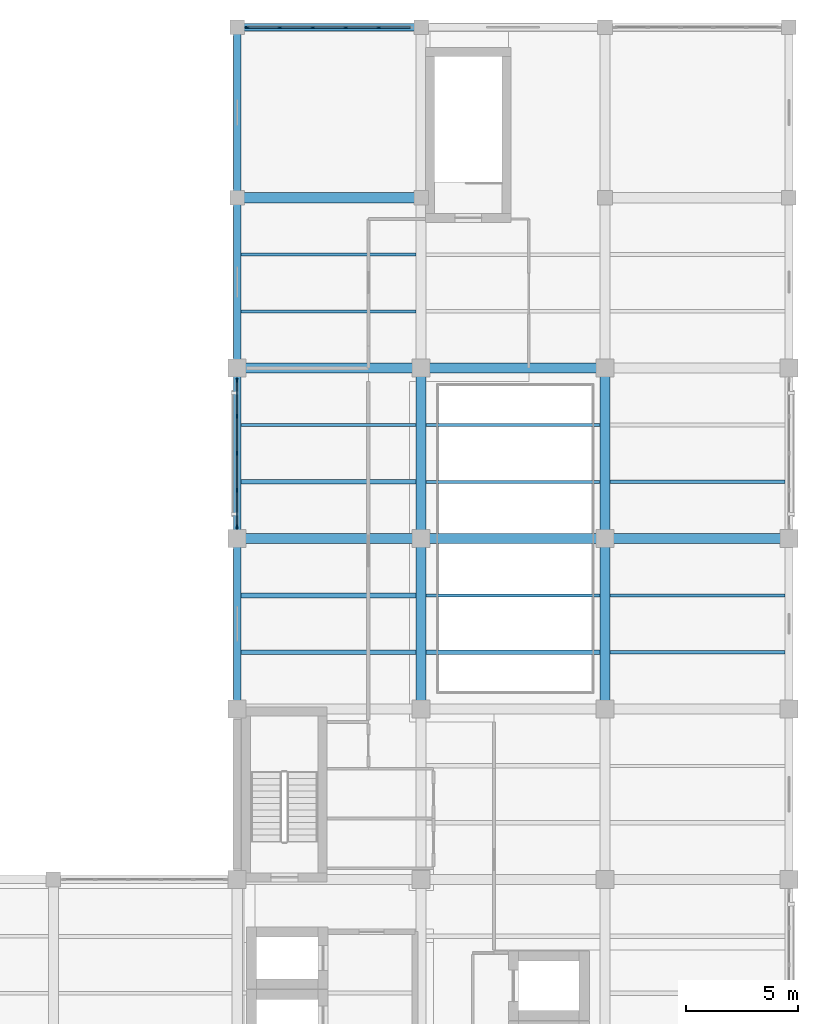
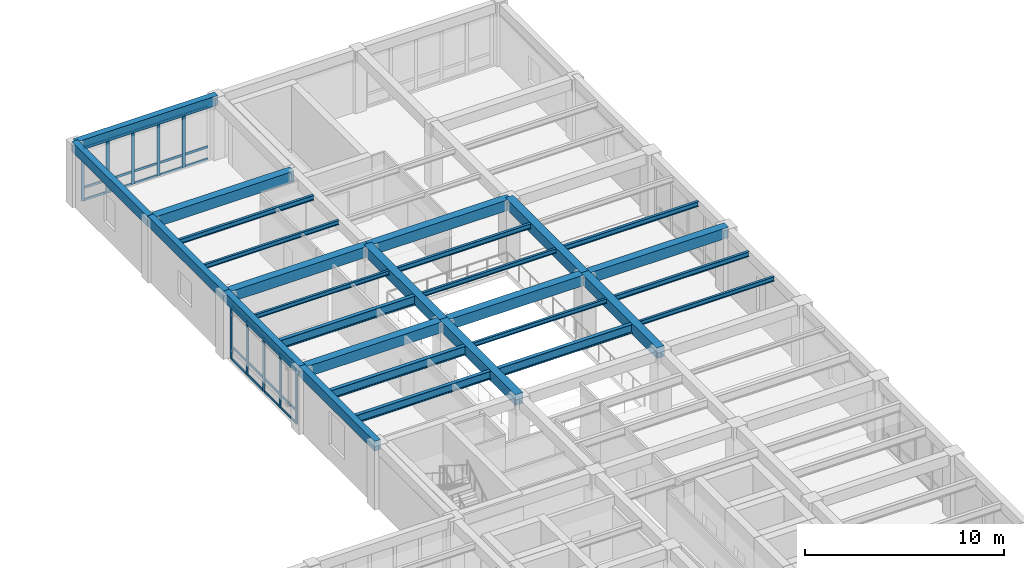
# One storey, part 4 of 15: 37 members, 28 beams, 2 elements without a shape of their own.
"""IFC4 building model written with IfcOpenShell, lengths in metres."""

from ifc_helpers import new_model, si_unit, direction, frame, origin, origin_2d, place, context, subcontext, project, spatial, rectangle, i_section, extrude, material, material_profile, profile_set, type_object, element, aggregate, save


model = new_model("IFC4")

# Units and contexts
model_context = context("Model", 3, precision=1e-05, world=origin(), true_north=direction((0.0, 1.0)))
body_context = subcontext(model_context, "Body", "Model", "MODEL_VIEW")
ifc_project = project(units=[si_unit("LENGTHUNIT", "METRE"), si_unit("AREAUNIT", "SQUARE_METRE"), si_unit("VOLUMEUNIT", "CUBIC_METRE"), si_unit("PLANEANGLEUNIT", "RADIAN"), si_unit("MASSUNIT", "GRAM", prefix="KILO")], contexts=[model_context])

# Site, building, storey
site_placement = place(None, origin())
site = spatial("IfcSite", under=ifc_project, at=site_placement, CompositionType="ELEMENT")
building_placement = place(site_placement, origin())
building = spatial("IfcBuilding", under=site, at=building_placement, Name="Qandaris Square Conservatory and Botanical Centre", CompositionType="ELEMENT")
storey_placement = place(building_placement, frame((0.0, 0.0, 32.39990234375)))
storey = spatial("IfcBuildingStorey", under=building, at=storey_placement, Name="L07", CompositionType="ELEMENT", Elevation=32.39990234375)

# Beams
ifc_material_1 = material(Name="Steel S355", Category="steel")
ifc_material_profile_1 = material_profile(ifc_material_1, i_section(OverallWidth=0.199951171875, OverallDepth=0.5, WebThickness=0.01025390625, FlangeThickness=0.01611328125, FilletRadius=0.02099609375, at=origin_2d()), Name="IPE 500")
ifc_profile_set_1 = profile_set([ifc_material_profile_1], Name="Steel S355")
beam_type_1 = type_object("IfcBeamType", Name="Composite Gallery Joist IPE 500", PredefinedType="JOIST", material=ifc_profile_set_1)
beam_1_placement = place(storey_placement, frame((139.375, 49.533203125, 3.630126953125), z_axis=(1.0, 0.0, 0.0), x_axis=(0.0, 1.0, 0.0)))
element("IfcBeam", 1, at=beam_1_placement, inside=storey, type_object=beam_type_1, Name="L07 Composite Joist 2179", PredefinedType="JOIST", context=body_context, shape_type="SweptSolid", body=[
    extrude(i_section(OverallWidth=0.199951171875, OverallDepth=0.5, WebThickness=0.01025390625, FlangeThickness=0.01611328125, FilletRadius=0.02099609375, at=origin_2d()), origin(), (0.0, 0.0, 1.0), 7.800048828125),
])
ifc_material_profile_2 = material_profile(ifc_material_1, i_section(OverallWidth=0.14990234375, OverallDepth=0.300048828125, WebThickness=0.007080078125, FlangeThickness=0.0107421875, FilletRadius=0.014892578125, at=origin_2d()), Name="IPE 300")
ifc_profile_set_2 = profile_set([ifc_material_profile_2], Name="Steel S355")
beam_type_2 = type_object("IfcBeamType", Name="Composite Lab Joist IPE 300", PredefinedType="JOIST", material=ifc_profile_set_2)
beam_2_placement = place(storey_placement, frame((139.375, 67.2666015625, 3.72998046875), z_axis=(1.0, 0.0, 0.0), x_axis=(0.0, 1.0, 0.0)))
element("IfcBeam", 2, at=beam_2_placement, inside=storey, type_object=beam_type_2, Name="L07 Composite Joist 2184", PredefinedType="JOIST", context=body_context, shape_type="SweptSolid", body=[
    extrude(i_section(OverallWidth=0.14990234375, OverallDepth=0.300048828125, WebThickness=0.007080078125, FlangeThickness=0.0107421875, FilletRadius=0.014892578125, at=origin_2d()), origin(), (0.0, 0.0, 1.0), 7.800048828125),
])
beam_3_placement = place(storey_placement, frame((147.625, 59.666748046875, 3.72998046875), z_axis=(1.0, 0.0, 0.0), x_axis=(0.0, 1.0, 0.0)))
element("IfcBeam", 3, at=beam_3_placement, inside=storey, type_object=beam_type_2, Name="L07 Composite Joist 2193", PredefinedType="JOIST", context=body_context, shape_type="SweptSolid", body=[
    extrude(i_section(OverallWidth=0.14990234375, OverallDepth=0.300048828125, WebThickness=0.007080078125, FlangeThickness=0.0107421875, FilletRadius=0.014892578125, at=origin_2d()), origin(), (0.0, 0.0, 1.0), 7.75),
])
for number, where, z_axis, x_axis, name in (
    (4, (155.824951171875, 52.066650390625, 3.72998046875), (1.0, 0.0, 0.0), (0.0, 1.0, 0.0), "L07 Composite Joist 2205"),
    (5, (155.824951171875, 57.13330078125, 3.72998046875), (1.0, 0.0, 0.0), (0.0, 1.0, 0.0), "L07 Composite Joist 2206"),
):
    element("IfcBeam", number, at=place(storey_placement, frame(where, z_axis=z_axis, x_axis=x_axis)), inside=storey, type_object=beam_type_2, Name=name, PredefinedType="JOIST", context=body_context, shape_type="SweptSolid", body=[
        extrude(i_section(OverallWidth=0.14990234375, OverallDepth=0.300048828125, WebThickness=0.007080078125, FlangeThickness=0.0107421875, FilletRadius=0.014892578125, at=origin_2d()), origin(), (0.0, 0.0, 1.0), 7.800048828125),
    ])

# Curtain wall, members
ifc_material_2 = material(Name="Anodised Aluminium", Category="aluminium")
curtain_wall_type_1 = type_object("IfcCurtainWallType", Name="Unitised Curtain Wall CW-3-735x324", PredefinedType="USERDEFINED", material=ifc_material_2)
curtain_wall_1_placement = place(storey_placement, origin())
curtain_wall_1 = element("IfcCurtainWall", 6, at=curtain_wall_1_placement, inside=storey, type_object=curtain_wall_type_1, Name="Curtain Wall CW-TWR-L07-3-3", ObjectType="GLAZED CURTAIN WALL", PredefinedType="USERDEFINED")
ifc_material_profile_3 = material_profile(ifc_material_2, rectangle(XDim=0.06494140625, YDim=0.179931640625, at=origin_2d()), Name="ALU-MUL 65x180")
ifc_profile_set_3 = profile_set([ifc_material_profile_3], Name="Anodised Aluminium")
member_type_1 = type_object("IfcMemberType", Name="Curtain Wall Mullion 65x180", PredefinedType="MULLION", material=ifc_profile_set_3)
member_1_placement = place(storey_placement, frame((145.5048828125, 77.39990234375, 0.0), z_axis=(0.0, 0.0, 1.0), x_axis=(0.0, -1.0, 0.0)))
member_1 = element("IfcMember", 7, at=member_1_placement, type_object=member_type_1, Name="CW-3-735x324 mullion 2", PredefinedType="MULLION", context=body_context, shape_type="SweptSolid", body=[
    extrude(rectangle(XDim=0.06494140625, YDim=0.179931640625, at=origin_2d()), origin(), (0.0, 0.0, 1.0), 3.239990234375),
])
member_2_placement = place(storey_placement, frame((144.034912109375, 77.39990234375, 0.0), z_axis=(0.0, 0.0, 1.0), x_axis=(0.0, -1.0, 0.0)))
member_2 = element("IfcMember", 8, at=member_2_placement, type_object=member_type_1, Name="CW-3-735x324 mullion 3", PredefinedType="MULLION", context=body_context, shape_type="SweptSolid", body=[
    extrude(rectangle(XDim=0.06494140625, YDim=0.179931640625, at=origin_2d()), origin(), (0.0, 0.0, 1.0), 3.239990234375),
])
member_3_placement = place(storey_placement, frame((142.56494140625, 77.39990234375, 0.0), z_axis=(0.0, 0.0, 1.0), x_axis=(0.0, -1.0, 0.0)))
member_3 = element("IfcMember", 9, at=member_3_placement, type_object=member_type_1, Name="CW-3-735x324 mullion 4", PredefinedType="MULLION", context=body_context, shape_type="SweptSolid", body=[
    extrude(rectangle(XDim=0.06494140625, YDim=0.179931640625, at=origin_2d()), origin(), (0.0, 0.0, 1.0), 3.239990234375),
])
member_4_placement = place(storey_placement, frame((141.094970703125, 77.39990234375, 0.0), z_axis=(0.0, 0.0, 1.0), x_axis=(0.0, -1.0, 0.0)))
member_4 = element("IfcMember", 10, at=member_4_placement, type_object=member_type_1, Name="CW-3-735x324 mullion 5", PredefinedType="MULLION", context=body_context, shape_type="SweptSolid", body=[
    extrude(rectangle(XDim=0.06494140625, YDim=0.179931640625, at=origin_2d()), origin(), (0.0, 0.0, 1.0), 3.239990234375),
])
member_5_placement = place(storey_placement, frame((139.657470703125, 77.39990234375, 0.0), z_axis=(0.0, 0.0, 1.0), x_axis=(0.0, -1.0, 0.0)))
member_5 = element("IfcMember", 11, at=member_5_placement, type_object=member_type_1, Name="CW-3-735x324 mullion 6", PredefinedType="MULLION", context=body_context, shape_type="SweptSolid", body=[
    extrude(rectangle(XDim=0.06494140625, YDim=0.179931640625, at=origin_2d()), origin(), (0.0, 0.0, 1.0), 3.239990234375),
])

curtain_wall_type_2 = type_object("IfcCurtainWallType", Name="Unitised Curtain Wall CW-4-660x329", PredefinedType="USERDEFINED", material=ifc_material_2)
curtain_wall_2_placement = place(storey_placement, origin())
curtain_wall_2 = element("IfcCurtainWall", 12, at=curtain_wall_2_placement, inside=storey, type_object=curtain_wall_type_2, Name="Curtain Wall CW-TWR-L07-4-3", ObjectType="GLAZED CURTAIN WALL", PredefinedType="USERDEFINED")
member_6_placement = place(storey_placement, frame((139.199951171875, 61.66748046875, 0.0), z_axis=(0.0, 0.0, 1.0), x_axis=(1.0, 0.0, 0.0)))
member_6 = element("IfcMember", 13, at=member_6_placement, type_object=member_type_1, Name="CW-4-660x329 mullion 1", PredefinedType="MULLION", context=body_context, shape_type="SweptSolid", body=[
    extrude(rectangle(XDim=0.06494140625, YDim=0.179931640625, at=origin_2d()), origin(), (0.0, 0.0, 1.0), 3.2900390625),
])
member_7_placement = place(storey_placement, frame((139.199951171875, 60.050048828125, 0.0), z_axis=(0.0, 0.0, 1.0), x_axis=(1.0, 0.0, 0.0)))
member_7 = element("IfcMember", 14, at=member_7_placement, type_object=member_type_1, Name="CW-4-660x329 mullion 2", PredefinedType="MULLION", context=body_context, shape_type="SweptSolid", body=[
    extrude(rectangle(XDim=0.06494140625, YDim=0.179931640625, at=origin_2d()), origin(), (0.0, 0.0, 1.0), 3.2900390625),
])
member_8_placement = place(storey_placement, frame((139.199951171875, 58.39990234375, 0.0), z_axis=(0.0, 0.0, 1.0), x_axis=(1.0, 0.0, 0.0)))
member_8 = element("IfcMember", 15, at=member_8_placement, type_object=member_type_1, Name="CW-4-660x329 mullion 3", PredefinedType="MULLION", context=body_context, shape_type="SweptSolid", body=[
    extrude(rectangle(XDim=0.06494140625, YDim=0.179931640625, at=origin_2d()), origin(), (0.0, 0.0, 1.0), 3.2900390625),
])
member_9_placement = place(storey_placement, frame((139.199951171875, 56.75, 0.0), z_axis=(0.0, 0.0, 1.0), x_axis=(1.0, 0.0, 0.0)))
member_9 = element("IfcMember", 16, at=member_9_placement, type_object=member_type_1, Name="CW-4-660x329 mullion 4", PredefinedType="MULLION", context=body_context, shape_type="SweptSolid", body=[
    extrude(rectangle(XDim=0.06494140625, YDim=0.179931640625, at=origin_2d()), origin(), (0.0, 0.0, 1.0), 3.2900390625),
])
member_10_placement = place(storey_placement, frame((139.199951171875, 55.132568359375, 0.0), z_axis=(0.0, 0.0, 1.0), x_axis=(1.0, 0.0, 0.0)))
member_10 = element("IfcMember", 17, at=member_10_placement, type_object=member_type_1, Name="CW-4-660x329 mullion 5", PredefinedType="MULLION", context=body_context, shape_type="SweptSolid", body=[
    extrude(rectangle(XDim=0.06494140625, YDim=0.179931640625, at=origin_2d()), origin(), (0.0, 0.0, 1.0), 3.2900390625),
])

# Member
ifc_material_profile_4 = material_profile(ifc_material_2, rectangle(XDim=0.06494140625, YDim=0.139892578125, at=origin_2d()), Name="ALU-TRN 65x140")
ifc_profile_set_4 = profile_set([ifc_material_profile_4], Name="Anodised Aluminium")
member_type_2 = type_object("IfcMemberType", Name="Curtain Wall Transom 65x140", PredefinedType="USERDEFINED", material=ifc_profile_set_4)
member_11_placement = place(storey_placement, frame((146.909912109375, 77.39990234375, 0.03271484375), z_axis=(-1.0, 0.0, 0.0), x_axis=(0.0, -1.0, 0.0)))
member_11 = element("IfcMember", 18, at=member_11_placement, type_object=member_type_2, Name="CW-3-735x324 transom 1.1", ObjectType="TRANSOM", PredefinedType="USERDEFINED", context=body_context, shape_type="SweptSolid", body=[
    extrude(rectangle(XDim=0.06494140625, YDim=0.139892578125, at=origin_2d()), origin(), (0.0, 0.0, 1.0), 1.372314453125),
])

member_12_placement = place(storey_placement, frame((146.909912109375, 77.39990234375, 0.777587890625), z_axis=(-1.0, 0.0, 0.0), x_axis=(0.0, -1.0, 0.0)))
member_12 = element("IfcMember", 19, at=member_12_placement, type_object=member_type_2, Name="CW-3-735x324 transom 1.2", ObjectType="TRANSOM", PredefinedType="USERDEFINED", context=body_context, shape_type="SweptSolid", body=[
    extrude(rectangle(XDim=0.06494140625, YDim=0.139892578125, at=origin_2d()), origin(), (0.0, 0.0, 1.0), 1.372314453125),
])

member_13_placement = place(storey_placement, frame((146.909912109375, 77.39990234375, 3.20751953125), z_axis=(-1.0, 0.0, 0.0), x_axis=(0.0, -1.0, 0.0)))
member_13 = element("IfcMember", 20, at=member_13_placement, type_object=member_type_2, Name="CW-3-735x324 transom 1.3", ObjectType="TRANSOM", PredefinedType="USERDEFINED", context=body_context, shape_type="SweptSolid", body=[
    extrude(rectangle(XDim=0.06494140625, YDim=0.139892578125, at=origin_2d()), origin(), (0.0, 0.0, 1.0), 1.372314453125),
])

member_14_placement = place(storey_placement, frame((145.472412109375, 77.39990234375, 0.03271484375), z_axis=(-1.0, 0.0, 0.0), x_axis=(0.0, -1.0, 0.0)))
member_14 = element("IfcMember", 21, at=member_14_placement, type_object=member_type_2, Name="CW-3-735x324 transom 2.1", ObjectType="TRANSOM", PredefinedType="USERDEFINED", context=body_context, shape_type="SweptSolid", body=[
    extrude(rectangle(XDim=0.06494140625, YDim=0.139892578125, at=origin_2d()), origin(), (0.0, 0.0, 1.0), 1.405029296875),
])

member_15_placement = place(storey_placement, frame((145.472412109375, 77.39990234375, 0.777587890625), z_axis=(-1.0, 0.0, 0.0), x_axis=(0.0, -1.0, 0.0)))
member_15 = element("IfcMember", 22, at=member_15_placement, type_object=member_type_2, Name="CW-3-735x324 transom 2.2", ObjectType="TRANSOM", PredefinedType="USERDEFINED", context=body_context, shape_type="SweptSolid", body=[
    extrude(rectangle(XDim=0.06494140625, YDim=0.139892578125, at=origin_2d()), origin(), (0.0, 0.0, 1.0), 1.405029296875),
])

member_16_placement = place(storey_placement, frame((145.472412109375, 77.39990234375, 3.20751953125), z_axis=(-1.0, 0.0, 0.0), x_axis=(0.0, -1.0, 0.0)))
member_16 = element("IfcMember", 23, at=member_16_placement, type_object=member_type_2, Name="CW-3-735x324 transom 2.3", ObjectType="TRANSOM", PredefinedType="USERDEFINED", context=body_context, shape_type="SweptSolid", body=[
    extrude(rectangle(XDim=0.06494140625, YDim=0.139892578125, at=origin_2d()), origin(), (0.0, 0.0, 1.0), 1.405029296875),
])

member_17_placement = place(storey_placement, frame((144.00244140625, 77.39990234375, 0.03271484375), z_axis=(-1.0, 0.0, 0.0), x_axis=(0.0, -1.0, 0.0)))
member_17 = element("IfcMember", 24, at=member_17_placement, type_object=member_type_2, Name="CW-3-735x324 transom 3.1", ObjectType="TRANSOM", PredefinedType="USERDEFINED", context=body_context, shape_type="SweptSolid", body=[
    extrude(rectangle(XDim=0.06494140625, YDim=0.139892578125, at=origin_2d()), origin(), (0.0, 0.0, 1.0), 1.405029296875),
])

member_18_placement = place(storey_placement, frame((144.00244140625, 77.39990234375, 0.777587890625), z_axis=(-1.0, 0.0, 0.0), x_axis=(0.0, -1.0, 0.0)))
member_18 = element("IfcMember", 25, at=member_18_placement, type_object=member_type_2, Name="CW-3-735x324 transom 3.2", ObjectType="TRANSOM", PredefinedType="USERDEFINED", context=body_context, shape_type="SweptSolid", body=[
    extrude(rectangle(XDim=0.06494140625, YDim=0.139892578125, at=origin_2d()), origin(), (0.0, 0.0, 1.0), 1.405029296875),
])

member_19_placement = place(storey_placement, frame((144.00244140625, 77.39990234375, 3.20751953125), z_axis=(-1.0, 0.0, 0.0), x_axis=(0.0, -1.0, 0.0)))
member_19 = element("IfcMember", 26, at=member_19_placement, type_object=member_type_2, Name="CW-3-735x324 transom 3.3", ObjectType="TRANSOM", PredefinedType="USERDEFINED", context=body_context, shape_type="SweptSolid", body=[
    extrude(rectangle(XDim=0.06494140625, YDim=0.139892578125, at=origin_2d()), origin(), (0.0, 0.0, 1.0), 1.405029296875),
])

member_20_placement = place(storey_placement, frame((142.532470703125, 77.39990234375, 0.03271484375), z_axis=(-1.0, 0.0, 0.0), x_axis=(0.0, -1.0, 0.0)))
member_20 = element("IfcMember", 27, at=member_20_placement, type_object=member_type_2, Name="CW-3-735x324 transom 4.1", ObjectType="TRANSOM", PredefinedType="USERDEFINED", context=body_context, shape_type="SweptSolid", body=[
    extrude(rectangle(XDim=0.06494140625, YDim=0.139892578125, at=origin_2d()), origin(), (0.0, 0.0, 1.0), 1.405029296875),
])

member_21_placement = place(storey_placement, frame((142.532470703125, 77.39990234375, 0.777587890625), z_axis=(-1.0, 0.0, 0.0), x_axis=(0.0, -1.0, 0.0)))
member_21 = element("IfcMember", 28, at=member_21_placement, type_object=member_type_2, Name="CW-3-735x324 transom 4.2", ObjectType="TRANSOM", PredefinedType="USERDEFINED", context=body_context, shape_type="SweptSolid", body=[
    extrude(rectangle(XDim=0.06494140625, YDim=0.139892578125, at=origin_2d()), origin(), (0.0, 0.0, 1.0), 1.405029296875),
])

member_22_placement = place(storey_placement, frame((142.532470703125, 77.39990234375, 3.20751953125), z_axis=(-1.0, 0.0, 0.0), x_axis=(0.0, -1.0, 0.0)))
member_22 = element("IfcMember", 29, at=member_22_placement, type_object=member_type_2, Name="CW-3-735x324 transom 4.3", ObjectType="TRANSOM", PredefinedType="USERDEFINED", context=body_context, shape_type="SweptSolid", body=[
    extrude(rectangle(XDim=0.06494140625, YDim=0.139892578125, at=origin_2d()), origin(), (0.0, 0.0, 1.0), 1.405029296875),
])

member_23_placement = place(storey_placement, frame((141.0625, 77.39990234375, 0.03271484375), z_axis=(-1.0, 0.0, 0.0), x_axis=(0.0, -1.0, 0.0)))
member_23 = element("IfcMember", 30, at=member_23_placement, type_object=member_type_2, Name="CW-3-735x324 transom 5.1", ObjectType="TRANSOM", PredefinedType="USERDEFINED", context=body_context, shape_type="SweptSolid", body=[
    extrude(rectangle(XDim=0.06494140625, YDim=0.139892578125, at=origin_2d()), origin(), (0.0, 0.0, 1.0), 1.37255859375),
])

member_24_placement = place(storey_placement, frame((141.0625, 77.39990234375, 0.777587890625), z_axis=(-1.0, 0.0, 0.0), x_axis=(0.0, -1.0, 0.0)))
member_24 = element("IfcMember", 31, at=member_24_placement, type_object=member_type_2, Name="CW-3-735x324 transom 5.2", ObjectType="TRANSOM", PredefinedType="USERDEFINED", context=body_context, shape_type="SweptSolid", body=[
    extrude(rectangle(XDim=0.06494140625, YDim=0.139892578125, at=origin_2d()), origin(), (0.0, 0.0, 1.0), 1.37255859375),
])

member_25_placement = place(storey_placement, frame((141.0625, 77.39990234375, 3.20751953125), z_axis=(-1.0, 0.0, 0.0), x_axis=(0.0, -1.0, 0.0)))
member_25 = element("IfcMember", 32, at=member_25_placement, type_object=member_type_2, Name="CW-3-735x324 transom 5.3", ObjectType="TRANSOM", PredefinedType="USERDEFINED", context=body_context, shape_type="SweptSolid", body=[
    extrude(rectangle(XDim=0.06494140625, YDim=0.139892578125, at=origin_2d()), origin(), (0.0, 0.0, 1.0), 1.37255859375),
])

aggregate(curtain_wall_1, [member_1, member_2, member_3, member_4, member_5, member_11, member_12, member_13, member_14, member_15, member_16, member_17, member_18, member_19, member_20, member_21, member_22, member_23, member_24, member_25])

member_26_placement = place(storey_placement, frame((139.199951171875, 61.635009765625, 0.03271484375), z_axis=(0.0, -1.0, 0.0), x_axis=(1.0, 0.0, 0.0)))
member_26 = element("IfcMember", 33, at=member_26_placement, type_object=member_type_2, Name="CW-4-660x329 transom 1.1", ObjectType="TRANSOM", PredefinedType="USERDEFINED", context=body_context, shape_type="SweptSolid", body=[
    extrude(rectangle(XDim=0.06494140625, YDim=0.139892578125, at=origin_2d()), origin(), (0.0, 0.0, 1.0), 1.552490234375),
])

member_27_placement = place(storey_placement, frame((139.199951171875, 61.635009765625, 0.789794921875), z_axis=(0.0, -1.0, 0.0), x_axis=(1.0, 0.0, 0.0)))
member_27 = element("IfcMember", 34, at=member_27_placement, type_object=member_type_2, Name="CW-4-660x329 transom 1.2", ObjectType="TRANSOM", PredefinedType="USERDEFINED", context=body_context, shape_type="SweptSolid", body=[
    extrude(rectangle(XDim=0.06494140625, YDim=0.139892578125, at=origin_2d()), origin(), (0.0, 0.0, 1.0), 1.552490234375),
])

member_28_placement = place(storey_placement, frame((139.199951171875, 61.635009765625, 3.257568359375), z_axis=(0.0, -1.0, 0.0), x_axis=(1.0, 0.0, 0.0)))
member_28 = element("IfcMember", 35, at=member_28_placement, type_object=member_type_2, Name="CW-4-660x329 transom 1.3", ObjectType="TRANSOM", PredefinedType="USERDEFINED", context=body_context, shape_type="SweptSolid", body=[
    extrude(rectangle(XDim=0.06494140625, YDim=0.139892578125, at=origin_2d()), origin(), (0.0, 0.0, 1.0), 1.552490234375),
])

member_29_placement = place(storey_placement, frame((139.199951171875, 60.017578125, 0.03271484375), z_axis=(0.0, -1.0, 0.0), x_axis=(1.0, 0.0, 0.0)))
member_29 = element("IfcMember", 36, at=member_29_placement, type_object=member_type_2, Name="CW-4-660x329 transom 2.1", ObjectType="TRANSOM", PredefinedType="USERDEFINED", context=body_context, shape_type="SweptSolid", body=[
    extrude(rectangle(XDim=0.06494140625, YDim=0.139892578125, at=origin_2d()), origin(), (0.0, 0.0, 1.0), 1.5849609375),
])

member_30_placement = place(storey_placement, frame((139.199951171875, 60.017578125, 0.789794921875), z_axis=(0.0, -1.0, 0.0), x_axis=(1.0, 0.0, 0.0)))
member_30 = element("IfcMember", 37, at=member_30_placement, type_object=member_type_2, Name="CW-4-660x329 transom 2.2", ObjectType="TRANSOM", PredefinedType="USERDEFINED", context=body_context, shape_type="SweptSolid", body=[
    extrude(rectangle(XDim=0.06494140625, YDim=0.139892578125, at=origin_2d()), origin(), (0.0, 0.0, 1.0), 1.5849609375),
])

member_31_placement = place(storey_placement, frame((139.199951171875, 60.017578125, 3.257568359375), z_axis=(0.0, -1.0, 0.0), x_axis=(1.0, 0.0, 0.0)))
member_31 = element("IfcMember", 38, at=member_31_placement, type_object=member_type_2, Name="CW-4-660x329 transom 2.3", ObjectType="TRANSOM", PredefinedType="USERDEFINED", context=body_context, shape_type="SweptSolid", body=[
    extrude(rectangle(XDim=0.06494140625, YDim=0.139892578125, at=origin_2d()), origin(), (0.0, 0.0, 1.0), 1.5849609375),
])

member_32_placement = place(storey_placement, frame((139.199951171875, 58.367431640625, 0.03271484375), z_axis=(0.0, -1.0, 0.0), x_axis=(1.0, 0.0, 0.0)))
member_32 = element("IfcMember", 39, at=member_32_placement, type_object=member_type_2, Name="CW-4-660x329 transom 3.1", ObjectType="TRANSOM", PredefinedType="USERDEFINED", context=body_context, shape_type="SweptSolid", body=[
    extrude(rectangle(XDim=0.06494140625, YDim=0.139892578125, at=origin_2d()), origin(), (0.0, 0.0, 1.0), 1.5849609375),
])

member_33_placement = place(storey_placement, frame((139.199951171875, 58.367431640625, 0.789794921875), z_axis=(0.0, -1.0, 0.0), x_axis=(1.0, 0.0, 0.0)))
member_33 = element("IfcMember", 40, at=member_33_placement, type_object=member_type_2, Name="CW-4-660x329 transom 3.2", ObjectType="TRANSOM", PredefinedType="USERDEFINED", context=body_context, shape_type="SweptSolid", body=[
    extrude(rectangle(XDim=0.06494140625, YDim=0.139892578125, at=origin_2d()), origin(), (0.0, 0.0, 1.0), 1.5849609375),
])

member_34_placement = place(storey_placement, frame((139.199951171875, 58.367431640625, 3.257568359375), z_axis=(0.0, -1.0, 0.0), x_axis=(1.0, 0.0, 0.0)))
member_34 = element("IfcMember", 41, at=member_34_placement, type_object=member_type_2, Name="CW-4-660x329 transom 3.3", ObjectType="TRANSOM", PredefinedType="USERDEFINED", context=body_context, shape_type="SweptSolid", body=[
    extrude(rectangle(XDim=0.06494140625, YDim=0.139892578125, at=origin_2d()), origin(), (0.0, 0.0, 1.0), 1.5849609375),
])

member_35_placement = place(storey_placement, frame((139.199951171875, 56.717529296875, 0.03271484375), z_axis=(0.0, -1.0, 0.0), x_axis=(1.0, 0.0, 0.0)))
member_35 = element("IfcMember", 42, at=member_35_placement, type_object=member_type_2, Name="CW-4-660x329 transom 4.1", ObjectType="TRANSOM", PredefinedType="USERDEFINED", context=body_context, shape_type="SweptSolid", body=[
    extrude(rectangle(XDim=0.06494140625, YDim=0.139892578125, at=origin_2d()), origin(), (0.0, 0.0, 1.0), 1.552490234375),
])

member_36_placement = place(storey_placement, frame((139.199951171875, 56.717529296875, 0.789794921875), z_axis=(0.0, -1.0, 0.0), x_axis=(1.0, 0.0, 0.0)))
member_36 = element("IfcMember", 43, at=member_36_placement, type_object=member_type_2, Name="CW-4-660x329 transom 4.2", ObjectType="TRANSOM", PredefinedType="USERDEFINED", context=body_context, shape_type="SweptSolid", body=[
    extrude(rectangle(XDim=0.06494140625, YDim=0.139892578125, at=origin_2d()), origin(), (0.0, 0.0, 1.0), 1.552490234375),
])

member_37_placement = place(storey_placement, frame((139.199951171875, 56.717529296875, 3.257568359375), z_axis=(0.0, -1.0, 0.0), x_axis=(1.0, 0.0, 0.0)))
member_37 = element("IfcMember", 44, at=member_37_placement, type_object=member_type_2, Name="CW-4-660x329 transom 4.3", ObjectType="TRANSOM", PredefinedType="USERDEFINED", context=body_context, shape_type="SweptSolid", body=[
    extrude(rectangle(XDim=0.06494140625, YDim=0.139892578125, at=origin_2d()), origin(), (0.0, 0.0, 1.0), 1.552490234375),
])

aggregate(curtain_wall_2, [member_6, member_7, member_8, member_9, member_10, member_26, member_27, member_28, member_29, member_30, member_31, member_32, member_33, member_34, member_35, member_36, member_37])

# Beams
ifc_material_profile_5 = material_profile(ifc_material_1, i_section(OverallWidth=0.2099609375, OverallDepth=0.550048828125, WebThickness=0.010986328125, FlangeThickness=0.01708984375, FilletRadius=0.02392578125, at=origin_2d()), Name="IPE 550")
ifc_profile_set_5 = profile_set([ifc_material_profile_5], Name="Steel S355")
beam_type_3 = type_object("IfcBeamType", Name="Long-Span Foyer Joist IPE 550", PredefinedType="JOIST", material=ifc_profile_set_5)
for number, where, z_axis, x_axis, name in (
    (45, (139.375, 52.066650390625, 3.60498046875), (1.0, 0.0, 0.0), (0.0, 1.0, 0.0), "L07 Composite Joist 2180"),
    (46, (139.375, 57.13330078125, 3.60498046875), (1.0, 0.0, 0.0), (0.0, 1.0, 0.0), "L07 Composite Joist 2181"),
):
    element("IfcBeam", number, at=place(storey_placement, frame(where, z_axis=z_axis, x_axis=x_axis)), inside=storey, type_object=beam_type_3, Name=name, PredefinedType="JOIST", context=body_context, shape_type="SweptSolid", body=[
        extrude(i_section(OverallWidth=0.2099609375, OverallDepth=0.550048828125, WebThickness=0.010986328125, FlangeThickness=0.01708984375, FilletRadius=0.02392578125, at=origin_2d()), origin(), (0.0, 0.0, 1.0), 7.800048828125),
    ])
beam_4_placement = place(storey_placement, frame((147.625, 49.533203125, 3.60498046875), z_axis=(1.0, 0.0, 0.0), x_axis=(0.0, 1.0, 0.0)))
element("IfcBeam", 47, at=beam_4_placement, inside=storey, type_object=beam_type_3, Name="L07 Composite Joist 2190", PredefinedType="JOIST", context=body_context, shape_type="SweptSolid", body=[
    extrude(i_section(OverallWidth=0.2099609375, OverallDepth=0.550048828125, WebThickness=0.010986328125, FlangeThickness=0.01708984375, FilletRadius=0.02392578125, at=origin_2d()), origin(), (0.0, 0.0, 1.0), 7.75),
])
ifc_material_3 = material(Name="Concrete C50/60", Category="concrete")
ifc_material_profile_6 = material_profile(ifc_material_3, rectangle(XDim=0.35009765625, YDim=0.60009765625, at=origin_2d()), Name="RC-SP 350x600")
ifc_profile_set_6 = profile_set([ifc_material_profile_6], Name="Concrete C50/60")
beam_type_4 = type_object("IfcBeamType", Name="RC Edge Spandrel Beam 350x600", PredefinedType="SPANDREL", material=ifc_profile_set_6)
beam_5_placement = place(storey_placement, frame((139.199951171875, 77.39990234375, 3.5400390625), z_axis=(1.0, 0.0, 0.0), x_axis=(0.0, 1.0, 0.0)))
element("IfcBeam", 48, at=beam_5_placement, inside=storey, type_object=beam_type_4, Name="L07 Frame Beam 2120", PredefinedType="SPANDREL", context=body_context, shape_type="SweptSolid", body=[
    extrude(rectangle(XDim=0.35009765625, YDim=0.60009765625, at=origin_2d()), origin(), (0.0, 0.0, 1.0), 8.199951171875),
])
beam_6_placement = place(storey_placement, frame((139.199951171875, 47.0, 3.590087890625), z_axis=(0.0, 1.0, 0.0), x_axis=(-1.0, 0.0, 0.0)))
element("IfcBeam", 49, at=beam_6_placement, inside=storey, type_object=beam_type_4, Name="L07 Frame Beam 2136", PredefinedType="SPANDREL", context=body_context, shape_type="SweptSolid", body=[
    extrude(rectangle(XDim=0.35009765625, YDim=0.60009765625, at=origin_2d()), origin(), (0.0, 0.0, 1.0), 7.60009765625),
])
beam_7_placement = place(storey_placement, frame((139.199951171875, 54.60009765625, 3.590087890625), z_axis=(0.0, 1.0, 0.0), x_axis=(-1.0, 0.0, 0.0)))
element("IfcBeam", 50, at=beam_7_placement, inside=storey, type_object=beam_type_4, Name="L07 Frame Beam 2137", PredefinedType="SPANDREL", context=body_context, shape_type="SweptSolid", body=[
    extrude(rectangle(XDim=0.35009765625, YDim=0.60009765625, at=origin_2d()), origin(), (0.0, 0.0, 1.0), 7.599853515625),
])
beam_8_placement = place(storey_placement, frame((139.199951171875, 62.199951171875, 3.590087890625), z_axis=(0.0, 1.0, 0.0), x_axis=(-1.0, 0.0, 0.0)))
element("IfcBeam", 51, at=beam_8_placement, inside=storey, type_object=beam_type_4, Name="L07 Frame Beam 2138", PredefinedType="SPANDREL", context=body_context, shape_type="SweptSolid", body=[
    extrude(rectangle(XDim=0.35009765625, YDim=0.60009765625, at=origin_2d()), origin(), (0.0, 0.0, 1.0), 7.60009765625),
])
beam_9_placement = place(storey_placement, frame((139.199951171875, 69.800048828125, 3.5400390625), z_axis=(0.0, 1.0, 0.0), x_axis=(-1.0, 0.0, 0.0)))
element("IfcBeam", 52, at=beam_9_placement, inside=storey, type_object=beam_type_4, Name="L07 Frame Beam 2139", PredefinedType="SPANDREL", context=body_context, shape_type="SweptSolid", body=[
    extrude(rectangle(XDim=0.35009765625, YDim=0.60009765625, at=origin_2d()), origin(), (0.0, 0.0, 1.0), 7.599853515625),
])
ifc_material_profile_7 = material_profile(ifc_material_3, rectangle(XDim=0.449951171875, YDim=0.64990234375, at=origin_2d()), Name="RC-BM 450x650")
ifc_profile_set_7 = profile_set([ifc_material_profile_7], Name="Concrete C50/60")
beam_type_5 = type_object("IfcBeamType", Name="RC Floor Girder 450x650", PredefinedType="BEAM", material=ifc_profile_set_7)
beam_10_placement = place(storey_placement, frame((139.199951171875, 54.60009765625, 3.565185546875), z_axis=(1.0, 0.0, 0.0), x_axis=(0.0, 1.0, 0.0)))
element("IfcBeam", 53, at=beam_10_placement, inside=storey, type_object=beam_type_5, Name="L07 Frame Beam 2112", PredefinedType="BEAM", context=body_context, shape_type="SweptSolid", body=[
    extrude(rectangle(XDim=0.449951171875, YDim=0.64990234375, at=origin_2d()), origin(), (0.0, 0.0, 1.0), 8.199951171875),
])
beam_11_placement = place(storey_placement, frame((147.39990234375, 54.60009765625, 3.565185546875), z_axis=(1.0, 0.0, 0.0), x_axis=(0.0, 1.0, 0.0)))
element("IfcBeam", 54, at=beam_11_placement, inside=storey, type_object=beam_type_5, Name="L07 Frame Beam 2113", PredefinedType="BEAM", context=body_context, shape_type="SweptSolid", body=[
    extrude(rectangle(XDim=0.449951171875, YDim=0.64990234375, at=origin_2d()), origin(), (0.0, 0.0, 1.0), 8.2001953125),
])
for number, where, z_axis, x_axis, name in (
    (55, (155.60009765625, 54.60009765625, 3.565185546875), (1.0, 0.0, 0.0), (0.0, 1.0, 0.0), "L07 Frame Beam 2114"),
    (56, (139.199951171875, 62.199951171875, 3.565185546875), (1.0, 0.0, 0.0), (0.0, 1.0, 0.0), "L07 Frame Beam 2115"),
):
    element("IfcBeam", number, at=place(storey_placement, frame(where, z_axis=z_axis, x_axis=x_axis)), inside=storey, type_object=beam_type_5, Name=name, PredefinedType="BEAM", context=body_context, shape_type="SweptSolid", body=[
        extrude(rectangle(XDim=0.449951171875, YDim=0.64990234375, at=origin_2d()), origin(), (0.0, 0.0, 1.0), 8.199951171875),
    ])
beam_12_placement = place(storey_placement, frame((147.39990234375, 62.199951171875, 3.565185546875), z_axis=(1.0, 0.0, 0.0), x_axis=(0.0, 1.0, 0.0)))
element("IfcBeam", 57, at=beam_12_placement, inside=storey, type_object=beam_type_5, Name="L07 Frame Beam 2116", PredefinedType="BEAM", context=body_context, shape_type="SweptSolid", body=[
    extrude(rectangle(XDim=0.449951171875, YDim=0.64990234375, at=origin_2d()), origin(), (0.0, 0.0, 1.0), 8.2001953125),
])
beam_13_placement = place(storey_placement, frame((139.199951171875, 69.800048828125, 3.51513671875), z_axis=(1.0, 0.0, 0.0), x_axis=(0.0, 1.0, 0.0)))
element("IfcBeam", 58, at=beam_13_placement, inside=storey, type_object=beam_type_5, Name="L07 Frame Beam 2118", PredefinedType="BEAM", context=body_context, shape_type="SweptSolid", body=[
    extrude(rectangle(XDim=0.449951171875, YDim=0.64990234375, at=origin_2d()), origin(), (0.0, 0.0, 1.0), 8.199951171875),
])
beam_14_placement = place(storey_placement, frame((147.39990234375, 47.0, 3.565185546875), z_axis=(0.0, 1.0, 0.0), x_axis=(-1.0, 0.0, 0.0)))
element("IfcBeam", 59, at=beam_14_placement, inside=storey, type_object=beam_type_5, Name="L07 Frame Beam 2144", PredefinedType="BEAM", context=body_context, shape_type="SweptSolid", body=[
    extrude(rectangle(XDim=0.449951171875, YDim=0.64990234375, at=origin_2d()), origin(), (0.0, 0.0, 1.0), 7.60009765625),
])
beam_15_placement = place(storey_placement, frame((147.39990234375, 54.60009765625, 3.565185546875), z_axis=(0.0, 1.0, 0.0), x_axis=(-1.0, 0.0, 0.0)))
element("IfcBeam", 60, at=beam_15_placement, inside=storey, type_object=beam_type_5, Name="L07 Frame Beam 2145", PredefinedType="BEAM", context=body_context, shape_type="SweptSolid", body=[
    extrude(rectangle(XDim=0.449951171875, YDim=0.64990234375, at=origin_2d()), origin(), (0.0, 0.0, 1.0), 7.599853515625),
])
beam_16_placement = place(storey_placement, frame((155.60009765625, 47.0, 3.565185546875), z_axis=(0.0, 1.0, 0.0), x_axis=(-1.0, 0.0, 0.0)))
element("IfcBeam", 61, at=beam_16_placement, inside=storey, type_object=beam_type_5, Name="L07 Frame Beam 2152", PredefinedType="BEAM", context=body_context, shape_type="SweptSolid", body=[
    extrude(rectangle(XDim=0.449951171875, YDim=0.64990234375, at=origin_2d()), origin(), (0.0, 0.0, 1.0), 7.60009765625),
])
beam_17_placement = place(storey_placement, frame((155.60009765625, 54.60009765625, 3.565185546875), z_axis=(0.0, 1.0, 0.0), x_axis=(-1.0, 0.0, 0.0)))
element("IfcBeam", 62, at=beam_17_placement, inside=storey, type_object=beam_type_5, Name="L07 Frame Beam 2153", PredefinedType="BEAM", context=body_context, shape_type="SweptSolid", body=[
    extrude(rectangle(XDim=0.449951171875, YDim=0.64990234375, at=origin_2d()), origin(), (0.0, 0.0, 1.0), 7.599853515625),
])
ifc_material_profile_8 = material_profile(ifc_material_1, i_section(OverallWidth=0.135009765625, OverallDepth=0.27001953125, WebThickness=0.006591796875, FlangeThickness=0.01025390625, FilletRadius=0.014892578125, at=origin_2d()), Name="IPE 270")
ifc_profile_set_8 = profile_set([ifc_material_profile_8], Name="Steel S355")
beam_type_6 = type_object("IfcBeamType", Name="Steel Floor Joist IPE 270", PredefinedType="JOIST", material=ifc_profile_set_8)
for number, where, z_axis, x_axis, name in (
    (63, (139.375, 59.666748046875, 3.7451171875), (1.0, 0.0, 0.0), (0.0, 1.0, 0.0), "L07 Composite Joist 2182"),
    (64, (139.375, 64.7333984375, 3.7451171875), (1.0, 0.0, 0.0), (0.0, 1.0, 0.0), "L07 Composite Joist 2183"),
):
    element("IfcBeam", number, at=place(storey_placement, frame(where, z_axis=z_axis, x_axis=x_axis)), inside=storey, type_object=beam_type_6, Name=name, PredefinedType="JOIST", context=body_context, shape_type="SweptSolid", body=[
        extrude(i_section(OverallWidth=0.135009765625, OverallDepth=0.27001953125, WebThickness=0.006591796875, FlangeThickness=0.01025390625, FilletRadius=0.014892578125, at=origin_2d()), origin(), (0.0, 0.0, 1.0), 7.800048828125),
    ])
for number, where, z_axis, x_axis, name in (
    (65, (147.625, 52.066650390625, 3.7451171875), (1.0, 0.0, 0.0), (0.0, 1.0, 0.0), "L07 Composite Joist 2191"),
    (66, (147.625, 57.13330078125, 3.7451171875), (1.0, 0.0, 0.0), (0.0, 1.0, 0.0), "L07 Composite Joist 2192"),
):
    element("IfcBeam", number, at=place(storey_placement, frame(where, z_axis=z_axis, x_axis=x_axis)), inside=storey, type_object=beam_type_6, Name=name, PredefinedType="JOIST", context=body_context, shape_type="SweptSolid", body=[
        extrude(i_section(OverallWidth=0.135009765625, OverallDepth=0.27001953125, WebThickness=0.006591796875, FlangeThickness=0.01025390625, FilletRadius=0.014892578125, at=origin_2d()), origin(), (0.0, 0.0, 1.0), 7.75),
    ])
beam_18_placement = place(storey_placement, frame((155.824951171875, 49.533203125, 3.7451171875), z_axis=(1.0, 0.0, 0.0), x_axis=(0.0, 1.0, 0.0)))
element("IfcBeam", 67, at=beam_18_placement, inside=storey, type_object=beam_type_6, Name="L07 Composite Joist 2204", PredefinedType="JOIST", context=body_context, shape_type="SweptSolid", body=[
    extrude(i_section(OverallWidth=0.135009765625, OverallDepth=0.27001953125, WebThickness=0.006591796875, FlangeThickness=0.01025390625, FilletRadius=0.014892578125, at=origin_2d()), origin(), (0.0, 0.0, 1.0), 7.800048828125),
])

save(model, "model.ifc")
